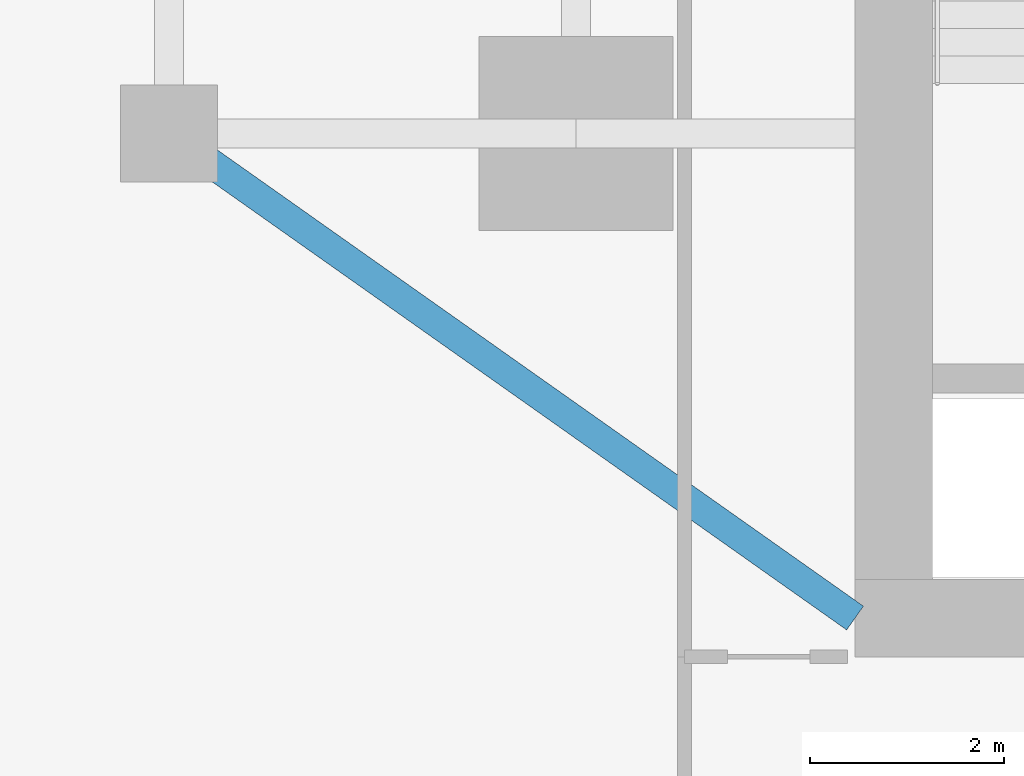
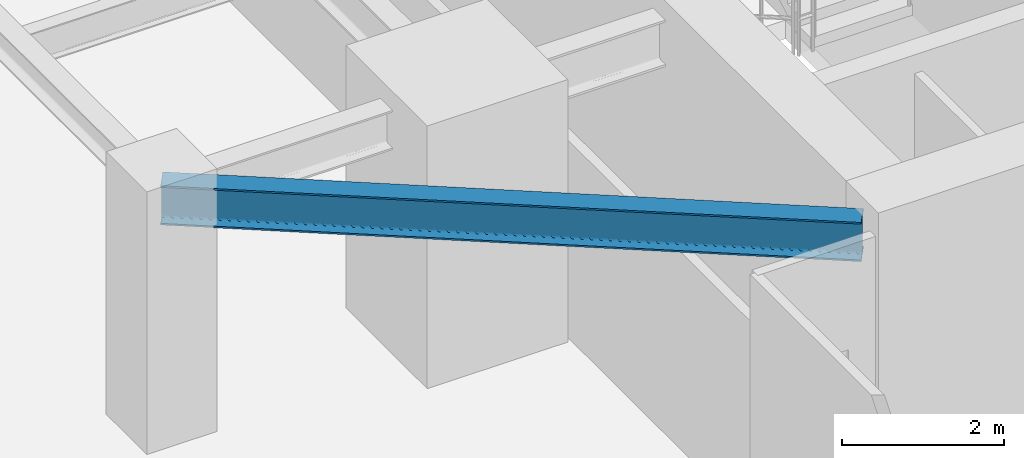
# One storey, part 5 of 27: 1 beam.
"""IFC4 building model written with IfcOpenShell, lengths in metres."""

import ifcopenshell
import ifcopenshell.guid

model = None  # the IFC model being written
_history = None  # IfcOwnerHistory: only IFC2X3 demands one
_inside = {}  # id of a spatial element -> (the spatial element, [elements in it])
_under = {}  # id of a project, library or spatial element -> (it, [spatial elements below it])
_declared = {}  # id of a project -> (the project, [libraries it declares])
_typed = {}  # id of a type object -> (the type object, [elements of that type])
_made_of = {}  # id of a material, layer set ... -> (it, [elements and type objects made of it])


def new_model(schema):
    """Start an empty IFC model of exactly this schema.

    Asked for "IFC4X3", IfcOpenShell would pick the latest addendum, in which some entities
    have other attributes; the version numbers below select the first issue.
    IFC2X3 requires an IfcOwnerHistory on every rooted entity: one is made here for all.
    """
    global model, _history
    if schema == "IFC4X3":
        model = ifcopenshell.file(schema_version=(4, 3, 0, 0))
    else:
        model = ifcopenshell.file(schema=schema)
    _inside.clear()
    _under.clear()
    _declared.clear()
    _typed.clear()
    _made_of.clear()
    _history = None
    if model.schema == "IFC2X3":
        org = make("IfcOrganization", Name="unknown")
        user = make(
            "IfcPersonAndOrganization",
            ThePerson=make("IfcPerson", FamilyName="unknown"),
            TheOrganization=org,
        )
        app = make(
            "IfcApplication",
            ApplicationDeveloper=org,
            Version="unknown",
            ApplicationFullName="unknown",
            ApplicationIdentifier="unknown",
        )
        _history = make(
            "IfcOwnerHistory",
            OwningUser=user,
            OwningApplication=app,
            ChangeAction="ADDED",
            CreationDate=0,
        )
    return model


def make(cls, **values):
    """One entity of the class cls with the attributes given. An attribute that is None is left unset."""
    return model.create_entity(
        cls, **{name: value for name, value in values.items() if value is not None}
    )


def rooted(cls, **values):
    """An entity with a GlobalId (a new one), such as an element, a storey or a relation."""
    return make(cls, GlobalId=ifcopenshell.guid.new(), OwnerHistory=_history, **values)


def si_unit(unit_type, name, prefix=None):
    """IfcSIUnit, for example si_unit("LENGTHUNIT", "METRE", prefix="MILLI")."""
    return make("IfcSIUnit", UnitType=unit_type, Prefix=prefix, Name=name)


def assignment(units):
    """IfcUnitAssignment: the units of a project."""
    return None if units is None else make("IfcUnitAssignment", Units=units)


def point(xyz):
    """IfcCartesianPoint."""
    return None if xyz is None else make("IfcCartesianPoint", Coordinates=xyz)


def direction(xyz):
    """IfcDirection."""
    return None if xyz is None else make("IfcDirection", DirectionRatios=xyz)


def frame(location, z_axis=None, x_axis=None):
    """IfcAxis2Placement3D, a coordinate frame: its origin and axes. An axis left out is left unset."""
    return make(
        "IfcAxis2Placement3D",
        Location=point(location),
        Axis=direction(z_axis),
        RefDirection=direction(x_axis),
    )


def frame_2d(location, x_axis=None):
    """IfcAxis2Placement2D, a coordinate frame in the plane: its origin and x axis."""
    return make(
        "IfcAxis2Placement2D", Location=point(location), RefDirection=direction(x_axis)
    )


def origin():
    """The frame at (0, 0, 0) with its axes left unset."""
    return frame((0.0, 0.0, 0.0))


def origin_2d():
    """The frame at (0, 0) in the plane with its x axis left unset."""
    return frame_2d((0.0, 0.0))


def place(relative_to, where):
    """IfcLocalPlacement: puts the frame where relative to a parent placement (None: the world)."""
    return make(
        "IfcLocalPlacement", PlacementRelTo=relative_to, RelativePlacement=where
    )


def context(
    kind, dimensions, precision=None, world=None, true_north=None, identifier=None
):
    """IfcGeometricRepresentationContext, for example the 3D "Model" context."""
    return make(
        "IfcGeometricRepresentationContext",
        ContextIdentifier=identifier,
        ContextType=kind,
        CoordinateSpaceDimension=dimensions,
        Precision=precision,
        WorldCoordinateSystem=world,
        TrueNorth=true_north,
    )


def subcontext(parent, identifier, kind, view, scale=None):
    """IfcGeometricRepresentationSubContext, for example "Body" below "Model"."""
    return make(
        "IfcGeometricRepresentationSubContext",
        ContextIdentifier=identifier,
        ContextType=kind,
        ParentContext=parent,
        TargetScale=scale,
        TargetView=view,
    )


def project(units=None, contexts=None):
    """IfcProject with its units and contexts."""
    return rooted(
        "IfcProject",
        Name="project",
        RepresentationContexts=contexts,
        UnitsInContext=assignment(units),
    )


def spatial(cls, under=None, at=None, **own):
    """A site, building, storey or space (cls), placed at a placement, below another one or the project."""
    s = rooted(cls, ObjectPlacement=at, **own)
    if under is not None:
        _under.setdefault(under.id(), (under, []))[1].append(s)
    return s


def profile(cls, at=None, kind="AREA", **sizes):
    """A parametric profile (cls). Its sizes go by their IFC names, for example OverallWidth=200.0."""
    return make(cls, ProfileType=kind, Position=at, **sizes)


def i_section(**sizes):
    """IfcIShapeProfileDef."""
    return profile("IfcIShapeProfileDef", **sizes)


def extrude(swept, where, along, depth):
    """IfcExtrudedAreaSolid: the profile swept, set in the frame where, extruded along a direction by depth."""
    return make(
        "IfcExtrudedAreaSolid",
        SweptArea=swept,
        Position=where,
        ExtrudedDirection=direction(along),
        Depth=depth,
    )


def shape(context_of_items, identifier, shape_type, items):
    """IfcShapeRepresentation: the items that make up one representation, for example the "Body"."""
    return make(
        "IfcShapeRepresentation",
        ContextOfItems=context_of_items,
        RepresentationIdentifier=identifier,
        RepresentationType=shape_type,
        Items=items,
    )


def source(mapping_origin, context_of_items, identifier, shape_type, items):
    """IfcRepresentationMap: a shape defined once, which mapped items show again and again."""
    return make(
        "IfcRepresentationMap",
        MappingOrigin=mapping_origin,
        MappedRepresentation=shape(context_of_items, identifier, shape_type, items),
    )


def transform(
    local_origin,
    x_axis=None,
    y_axis=None,
    z_axis=None,
    scale=None,
    scale2=None,
    scale3=None,
    uniform=True,
):
    """IfcCartesianTransformationOperator3D, or its non-uniform kind. x_axis, y_axis, z_axis: its Axis1, 2, 3."""
    if uniform:
        return make(
            "IfcCartesianTransformationOperator3D",
            Axis1=direction(x_axis),
            Axis2=direction(y_axis),
            LocalOrigin=point(local_origin),
            Scale=scale,
            Axis3=direction(z_axis),
        )
    return make(
        "IfcCartesianTransformationOperator3DnonUniform",
        Axis1=direction(x_axis),
        Axis2=direction(y_axis),
        LocalOrigin=point(local_origin),
        Scale=scale,
        Axis3=direction(z_axis),
        Scale2=scale2,
        Scale3=scale3,
    )


def mapped(mapping_source, mapping_target):
    """IfcMappedItem: shows the shape of a source again, moved by a transform."""
    return make(
        "IfcMappedItem", MappingSource=mapping_source, MappingTarget=mapping_target
    )


def material(Name=None, Category=None):
    """IfcMaterial."""
    return make("IfcMaterial", Name=Name, Category=Category)


def material_profile(
    of_material, cross_section, Name=None, Category=None, Priority=None
):
    """IfcMaterialProfile: a cross section and its material."""
    return make(
        "IfcMaterialProfile",
        Name=Name,
        Material=of_material,
        Profile=cross_section,
        Priority=Priority,
        Category=Category,
    )


def profile_set(profiles, Name=None, composite=None):
    """IfcMaterialProfileSet."""
    return make(
        "IfcMaterialProfileSet",
        Name=Name,
        MaterialProfiles=profiles,
        CompositeProfile=composite,
    )


def made_of(thing, what):
    """Note that an element or type object is made of a material, layer set ...; save() writes the relation."""
    if what is not None:
        _made_of.setdefault(what.id(), (what, []))[1].append(thing)
    return thing


def type_object(cls, material=None, **own):
    """A type object (cls), such as IfcWallType, which elements share."""
    return made_of(rooted(cls, **own), material)


def type_shapes(of_type, sources):
    """Give a type object the sources (RepresentationMaps) that its elements show as mapped items."""
    of_type.RepresentationMaps = sources


def element(
    cls,
    number,
    at=None,
    inside=None,
    cuts=None,
    type_object=None,
    material=None,
    context=None,
    identifier="Body",
    shape_type=None,
    held_by="IfcProductDefinitionShape",
    body=None,
    shapes=None,
    **own,
):
    """One element of the class cls, such as IfcWall. Its Tag is "e" and its number.

    at: its placement. inside: the storey or other place that contains it. cuts: it is an
    opening in that element (IfcRelVoidsElement). A single representation is given by context,
    identifier, shape_type and body (its items); several are given by shapes. held_by: the class
    of the entity that holds the representations. save() writes the other relations.
    """
    e = rooted(cls, Tag="e%d" % number, ObjectPlacement=at, **own)
    if body is not None:
        shapes = [shape(context, identifier, shape_type, body)]
    if shapes is not None:
        e.Representation = make(held_by, Representations=shapes)
    if inside is not None:
        _inside.setdefault(inside.id(), (inside, []))[1].append(e)
    if cuts is not None:
        rooted(
            "IfcRelVoidsElement", RelatingBuildingElement=cuts, RelatedOpeningElement=e
        )
    if type_object is not None:
        _typed.setdefault(type_object.id(), (type_object, []))[1].append(e)
    return made_of(e, material)


def aggregate(whole, parts):
    """IfcRelAggregates: a whole, such as a stair, and the parts it consists of."""
    return rooted("IfcRelAggregates", RelatingObject=whole, RelatedObjects=parts)


def save(model, path):
    """Write the relations noted so far, then the file.

    IfcRelAggregates (storeys below a building ...), IfcRelContainedInSpatialStructure (elements
    in a storey), IfcRelDefinesByType, IfcRelAssociatesMaterial and IfcRelDeclares: one each for
    every whole, place, type object, material and project.
    """
    for whole, parts in _under.values():
        aggregate(whole, parts)
    for where, things in _inside.values():
        rooted(
            "IfcRelContainedInSpatialStructure",
            RelatedElements=things,
            RelatingStructure=where,
        )
    for kind, things in _typed.values():
        rooted("IfcRelDefinesByType", RelatedObjects=things, RelatingType=kind)
    for what, things in _made_of.values():
        rooted("IfcRelAssociatesMaterial", RelatedObjects=things, RelatingMaterial=what)
    for by, libraries in _declared.values():
        rooted("IfcRelDeclares", RelatingContext=by, RelatedDefinitions=libraries)
    model.write(path)


model = new_model("IFC4")

# Units and contexts
model_context = context("Model", 3, precision=1e-05, world=origin(), true_north=direction((0.0, 1.0)))
body_context = subcontext(model_context, "Body", "Model", "MODEL_VIEW")
ifc_project = project(units=[si_unit("LENGTHUNIT", "METRE"), si_unit("AREAUNIT", "SQUARE_METRE"), si_unit("VOLUMEUNIT", "CUBIC_METRE"), si_unit("PLANEANGLEUNIT", "RADIAN"), si_unit("MASSUNIT", "GRAM", prefix="KILO")], contexts=[model_context])

# Site, building, storey
site_placement = place(None, origin())
site = spatial("IfcSite", under=ifc_project, at=site_placement, CompositionType="ELEMENT")
building_placement = place(site_placement, origin())
building = spatial("IfcBuilding", under=site, at=building_placement, Name="Krantzveldt Concourse Tower", CompositionType="ELEMENT")
storey_placement = place(building_placement, frame((0.0, 0.0, 125.60009765625)))
storey = spatial("IfcBuildingStorey", under=building, at=storey_placement, Name="L30", CompositionType="ELEMENT", Elevation=125.60009765625)

# Beam
ifc_material = material(Name="Steel S355JR", Category="steel")
ifc_material_profile = material_profile(ifc_material, i_section(OverallWidth=0.300048828125, OverallDepth=0.590087890625, WebThickness=0.012939453125, FlangeThickness=0.02490234375, FilletRadius=0.027099609375, at=origin_2d()), Name="Steel S355JR", Category="steel")
ifc_profile_set = profile_set([ifc_material_profile], Name="Steel S355JR - HEA 600")
beam_type = type_object("IfcBeamType", Name="BM-B-HEA600", PredefinedType="BEAM", material=ifc_profile_set)
shared_shape = source(origin(), body_context, "Body", "SweptSolid", [
    extrude(i_section(OverallWidth=0.300048828125, OverallDepth=0.590087890625, WebThickness=0.012939453125, FlangeThickness=0.02490234375, FilletRadius=0.027099609375, at=origin_2d()), origin(), (0.0, 0.0, 1.0), 8.667724609375),
])
type_shapes(beam_type, [shared_shape])
beam_placement = place(storey_placement, frame((21.0, 15.89990234375, 3.375), z_axis=(0.81684294656, -0.576860122261, 0.0), x_axis=(0.576860122261, 0.81684294656, 0.0)))
element("IfcBeam", 1, at=beam_placement, inside=storey, type_object=beam_type, Name="L30 Tower Girder BR-CSW", PredefinedType="BEAM", context=body_context, shape_type="MappedRepresentation", body=[
    mapped(shared_shape, transform((0.0, 0.0, 0.0), x_axis=(1.0, 0.0, 0.0), y_axis=(0.0, 1.0, 0.0), z_axis=(0.0, 0.0, 1.0), scale=1.0)),
])

save(model, "model.ifc")
